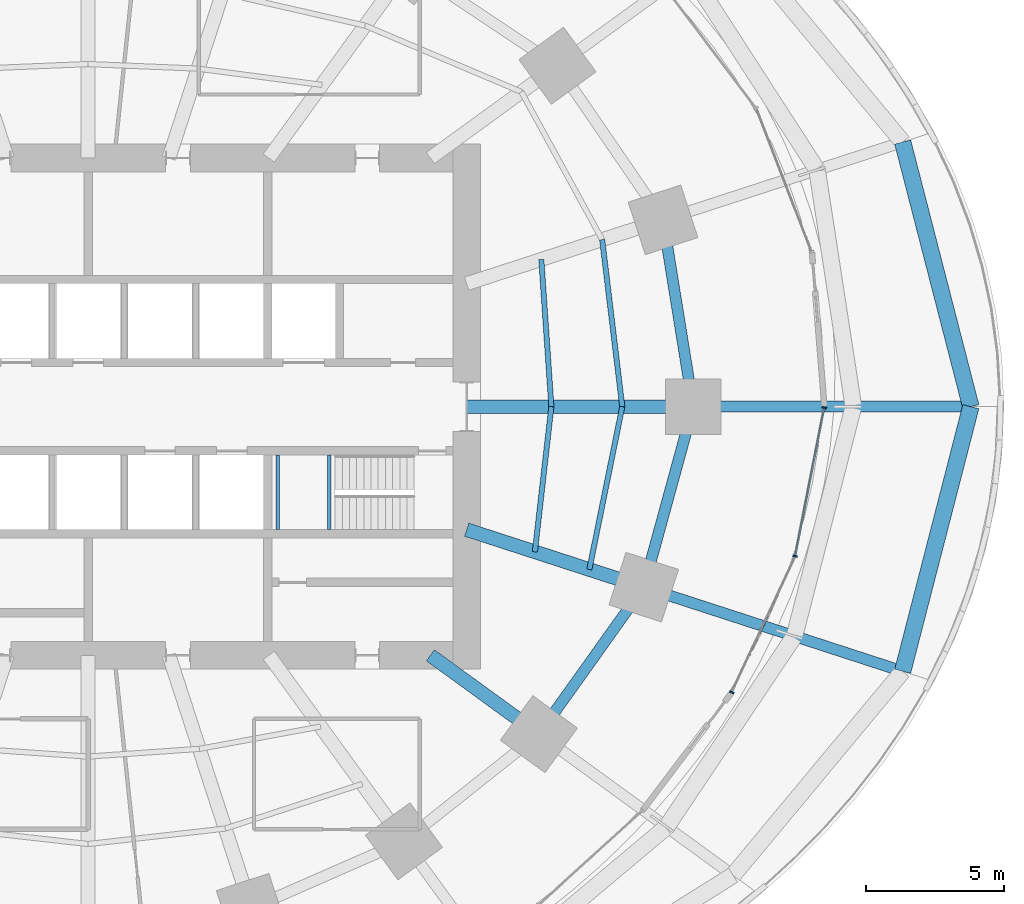
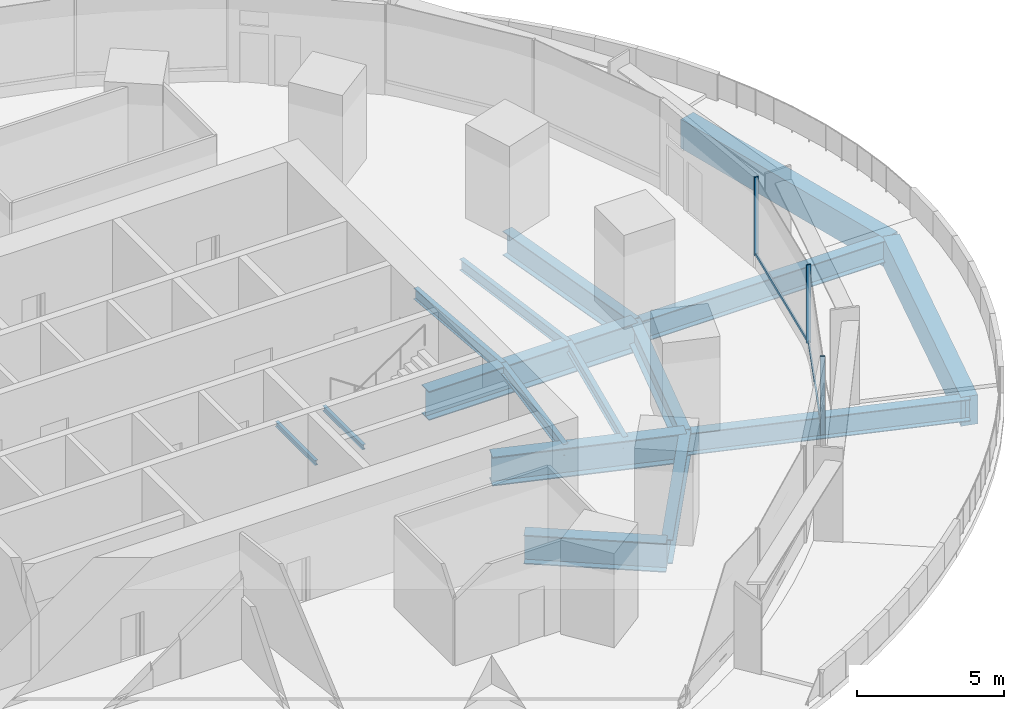
# One storey, part 5 of 20: 16 beams, 5 members, 1 element without a shape of its own.
"""IFC4 building model written with IfcOpenShell, lengths in metres."""

from ifc_helpers import new_model, si_unit, direction, frame, origin, origin_2d, place, context, subcontext, project, spatial, rectangle, i_section, extrude, material, material_profile, profile_set, type_object, element, aggregate, save


model = new_model("IFC4")

# Units and contexts
model_context = context("Model", 3, precision=1e-05, world=origin(), true_north=direction((0.0, 1.0)))
body_context = subcontext(model_context, "Body", "Model", "MODEL_VIEW")
ifc_project = project(units=[si_unit("LENGTHUNIT", "METRE"), si_unit("AREAUNIT", "SQUARE_METRE"), si_unit("VOLUMEUNIT", "CUBIC_METRE"), si_unit("PLANEANGLEUNIT", "RADIAN"), si_unit("MASSUNIT", "GRAM", prefix="KILO")], contexts=[model_context])

# Site, building, storey
site_placement = place(None, origin())
site = spatial("IfcSite", under=ifc_project, at=site_placement, CompositionType="ELEMENT")
building_placement = place(site_placement, origin())
building = spatial("IfcBuilding", under=site, at=building_placement, Name="Marramba Exchange Tower", CompositionType="ELEMENT")
storey_placement = place(building_placement, frame((0.0, 0.0, 19.60009765625)))
storey = spatial("IfcBuildingStorey", under=building, at=storey_placement, Name="L04", CompositionType="ELEMENT", Elevation=19.60009765625)

# Beams
ifc_material_1 = material(Name="Concrete N50", Category="concrete")
ifc_material_profile_1 = material_profile(ifc_material_1, rectangle(XDim=0.60009765625, YDim=1.199951171875, at=origin_2d()), Name="RC 600x1200")
ifc_profile_set_1 = profile_set([ifc_material_profile_1], Name="Concrete N50")
beam_type_1 = type_object("IfcBeamType", Name="Edge beam RC 600x1200 N50", PredefinedType="SPANDREL", material=ifc_profile_set_1)
for number, where, z_axis, x_axis, name in (
    (1, (31.949951171875, 0.0, -0.85009765625), (-0.249492097231, 0.968376834409, 0.0), (-0.968376834409, -0.249492097231, 0.0), "Edge beam L04 P3C01"),
    (2, (29.48193359375, -9.579345703125, -0.85009765625), (0.249492097231, 0.968376834409, 0.0), (-0.968376834409, 0.249492097231, 0.0), "Edge beam L04 P3C20"),
):
    element("IfcBeam", number, at=place(storey_placement, frame(where, z_axis=z_axis, x_axis=x_axis)), inside=storey, type_object=beam_type_1, Name=name, PredefinedType="SPANDREL", context=body_context, shape_type="SweptSolid", body=[
        extrude(rectangle(XDim=0.60009765625, YDim=1.199951171875, at=origin_2d()), origin(), (0.0, 0.0, 1.0), 9.89208984375),
    ])
ifc_material_2 = material(Name="Steel AS/NZS 3679.1 grade 300", Category="steel")
ifc_material_profile_2 = material_profile(ifc_material_2, i_section(OverallWidth=0.18994140625, OverallDepth=0.4541015625, WebThickness=0.008544921875, FlangeThickness=0.0126953125, FilletRadius=0.011474609375, at=origin_2d()), Name="460UB67.1")
ifc_profile_set_2 = profile_set([ifc_material_profile_2], Name="Steel AS/NZS 3679.1 grade 300")
beam_type_2 = type_object("IfcBeamType", Name="Floor joist 460UB67.1", PredefinedType="JOIST", material=ifc_profile_set_2)
beam_1_placement = place(storey_placement, frame((16.7666015625, 0.0, -0.427001953125), z_axis=(-0.068096259546, 0.99767875563, 0.0), x_axis=(-0.99767875563, -0.068096259546, 0.0)))
element("IfcBeam", 3, at=beam_1_placement, inside=storey, type_object=beam_type_2, Name="Joist L04 bay 01 row 1", PredefinedType="JOIST", context=body_context, shape_type="SweptSolid", body=[
    extrude(i_section(OverallWidth=0.18994140625, OverallDepth=0.4541015625, WebThickness=0.008544921875, FlangeThickness=0.0126953125, FilletRadius=0.011474609375, at=origin_2d()), origin(), (0.0, 0.0, 1.0), 5.342041015625),
])
beam_2_placement = place(storey_placement, frame((19.333251953125, 0.0, -0.427001953125), z_axis=(-0.119523078538, 0.992831422597, 0.0), x_axis=(-0.992831422597, -0.119523078538, 0.0)))
element("IfcBeam", 4, at=beam_2_placement, inside=storey, type_object=beam_type_2, Name="Joist L04 bay 01 row 2", PredefinedType="JOIST", context=body_context, shape_type="SweptSolid", body=[
    extrude(i_section(OverallWidth=0.18994140625, OverallDepth=0.4541015625, WebThickness=0.008544921875, FlangeThickness=0.0126953125, FilletRadius=0.011474609375, at=origin_2d()), origin(), (0.0, 0.0, 1.0), 6.089111328125),
])
beam_3_placement = place(storey_placement, frame((16.169677734375, -5.25390625, -0.427001953125), z_axis=(0.112888968594, 0.993607609054, 0.0), x_axis=(-0.993607609054, 0.112888968594, 0.0)))
element("IfcBeam", 5, at=beam_3_placement, inside=storey, type_object=beam_type_2, Name="Joist L04 bay 20 row 1", PredefinedType="JOIST", context=body_context, shape_type="SweptSolid", body=[
    extrude(i_section(OverallWidth=0.18994140625, OverallDepth=0.4541015625, WebThickness=0.008544921875, FlangeThickness=0.0126953125, FilletRadius=0.011474609375, at=origin_2d()), origin(), (0.0, 0.0, 1.0), 5.28759765625),
])
beam_4_placement = place(storey_placement, frame((18.1396484375, -5.893798828125, -0.427001953125), z_axis=(0.198489047047, 0.980103105904, 0.0), x_axis=(-0.980103105904, 0.198489047047, 0.0)))
element("IfcBeam", 6, at=beam_4_placement, inside=storey, type_object=beam_type_2, Name="Joist L04 bay 20 row 2", PredefinedType="JOIST", context=body_context, shape_type="SweptSolid", body=[
    extrude(i_section(OverallWidth=0.18994140625, OverallDepth=0.4541015625, WebThickness=0.008544921875, FlangeThickness=0.0126953125, FilletRadius=0.011474609375, at=origin_2d()), origin(), (0.0, 0.0, 1.0), 6.013427734375),
])
ifc_material_3 = material(Name="Steel AS/NZS 3679.2 grade 300", Category="steel")
ifc_material_profile_3 = material_profile(ifc_material_3, i_section(OverallWidth=0.5, OverallDepth=1.199951171875, WebThickness=0.01611328125, FlangeThickness=0.0400390625, at=origin_2d()), Name="1200WB455")
ifc_profile_set_3 = profile_set([ifc_material_profile_3], Name="Steel AS/NZS 3679.2 grade 300")
beam_type_3 = type_object("IfcBeamType", Name="Radial girder 1200WB455", PredefinedType="BEAM", material=ifc_profile_set_3)
beam_5_placement = place(storey_placement, frame((13.699951171875, 0.0, -0.800048828125), z_axis=(1.0, 0.0, 0.0), x_axis=(0.0, 1.0, 0.0)))
element("IfcBeam", 7, at=beam_5_placement, inside=storey, type_object=beam_type_3, Name="Radial girder L04 TC01", PredefinedType="BEAM", context=body_context, shape_type="SweptSolid", body=[
    extrude(i_section(OverallWidth=0.5, OverallDepth=1.199951171875, WebThickness=0.01611328125, FlangeThickness=0.0400390625, at=origin_2d()), origin(), (0.0, 0.0, 1.0), 8.199951171875),
])
beam_6_placement = place(storey_placement, frame((12.387451171875, -9.0, -0.800048828125), z_axis=(0.809025189606, -0.58777397236, 0.0), x_axis=(0.58777397236, 0.809025189606, 0.0)))
element("IfcBeam", 8, at=beam_6_placement, inside=storey, type_object=beam_type_3, Name="Radial girder L04 TC19", PredefinedType="BEAM", context=body_context, shape_type="SweptSolid", body=[
    extrude(i_section(OverallWidth=0.5, OverallDepth=1.199951171875, WebThickness=0.01611328125, FlangeThickness=0.0400390625, at=origin_2d()), origin(), (0.0, 0.0, 1.0), 4.855224609375),
])
beam_7_placement = place(storey_placement, frame((13.699951171875, -4.451416015625, -0.800048828125), z_axis=(0.951057759669, -0.309013167637, 0.0), x_axis=(0.309013167637, 0.951057759669, 0.0)))
element("IfcBeam", 9, at=beam_7_placement, inside=storey, type_object=beam_type_3, Name="Radial girder L04 TC20", PredefinedType="BEAM", context=body_context, shape_type="SweptSolid", body=[
    extrude(i_section(OverallWidth=0.5, OverallDepth=1.199951171875, WebThickness=0.01611328125, FlangeThickness=0.0400390625, at=origin_2d()), origin(), (0.0, 0.0, 1.0), 6.7392578125),
])
ifc_material_profile_4 = material_profile(ifc_material_3, i_section(OverallWidth=0.39990234375, OverallDepth=0.89990234375, WebThickness=0.01611328125, FlangeThickness=0.031982421875, at=origin_2d()), Name="900WB282")
ifc_profile_set_4 = profile_set([ifc_material_profile_4], Name="Steel AS/NZS 3679.2 grade 300")
beam_type_4 = type_object("IfcBeamType", Name="Radial girder 900WB282", PredefinedType="BEAM", material=ifc_profile_set_4)
beam_8_placement = place(storey_placement, frame((31.949951171875, 0.0, -0.7001953125), z_axis=(-1.0, 0.0, 0.0), x_axis=(0.0, -1.0, 0.0)))
element("IfcBeam", 10, at=beam_8_placement, inside=storey, type_object=beam_type_4, Name="Radial girder L04 P3C01", PredefinedType="BEAM", context=body_context, shape_type="SweptSolid", body=[
    extrude(i_section(OverallWidth=0.39990234375, OverallDepth=0.89990234375, WebThickness=0.01611328125, FlangeThickness=0.031982421875, at=origin_2d()), origin(), (0.0, 0.0, 1.0), 10.050048828125),
])
beam_9_placement = place(storey_placement, frame((29.48193359375, -9.579345703125, -0.7001953125), z_axis=(-0.951054092785, 0.309024453071, 0.0), x_axis=(-0.309024453071, -0.951054092785, 0.0)))
element("IfcBeam", 11, at=beam_9_placement, inside=storey, type_object=beam_type_4, Name="Radial girder L04 P3C20", PredefinedType="BEAM", context=body_context, shape_type="SweptSolid", body=[
    extrude(i_section(OverallWidth=0.39990234375, OverallDepth=0.89990234375, WebThickness=0.01611328125, FlangeThickness=0.031982421875, at=origin_2d()), origin(), (0.0, 0.0, 1.0), 9.85498046875),
])
ifc_material_profile_5 = material_profile(ifc_material_3, i_section(OverallWidth=0.39990234375, OverallDepth=1.0, WebThickness=0.01611328125, FlangeThickness=0.031982421875, at=origin_2d()), Name="1000WB322")
ifc_profile_set_5 = profile_set([ifc_material_profile_5], Name="Steel AS/NZS 3679.2 grade 300")
beam_type_5 = type_object("IfcBeamType", Name="Ring beam 1000WB322", PredefinedType="SPANDREL", material=ifc_profile_set_5)
beam_10_placement = place(storey_placement, frame((21.89990234375, 0.0, -0.7001953125), z_axis=(-0.159384865399, 0.987216523708, 0.0), x_axis=(-0.987216523708, -0.159384865399, 0.0)))
element("IfcBeam", 12, at=beam_10_placement, inside=storey, type_object=beam_type_5, Name="Ring beam L04 TC01-TC02", PredefinedType="SPANDREL", context=body_context, shape_type="SweptSolid", body=[
    extrude(i_section(OverallWidth=0.39990234375, OverallDepth=1.0, WebThickness=0.01611328125, FlangeThickness=0.031982421875, at=origin_2d()), origin(), (0.0, 0.0, 1.0), 6.8486328125),
])
beam_11_placement = place(storey_placement, frame((16.3154296875, -11.853759765625, -0.7001953125), z_axis=(0.580637181111, 0.814162430914, 0.0), x_axis=(-0.814162430914, 0.580637181111, 0.0)))
element("IfcBeam", 13, at=beam_11_placement, inside=storey, type_object=beam_type_5, Name="Ring beam L04 TC19-TC20", PredefinedType="SPANDREL", context=body_context, shape_type="SweptSolid", body=[
    extrude(i_section(OverallWidth=0.39990234375, OverallDepth=1.0, WebThickness=0.01611328125, FlangeThickness=0.031982421875, at=origin_2d()), origin(), (0.0, 0.0, 1.0), 6.5341796875),
])
beam_12_placement = place(storey_placement, frame((20.109375, -6.533935546875, -0.7001953125), z_axis=(0.264291166956, 0.964442937176, 0.0), x_axis=(-0.964442937176, 0.264291166956, 0.0)))
element("IfcBeam", 14, at=beam_12_placement, inside=storey, type_object=beam_type_5, Name="Ring beam L04 TC20-TC01", PredefinedType="SPANDREL", context=body_context, shape_type="SweptSolid", body=[
    extrude(i_section(OverallWidth=0.39990234375, OverallDepth=1.0, WebThickness=0.01611328125, FlangeThickness=0.031982421875, at=origin_2d()), origin(), (0.0, 0.0, 1.0), 6.77490234375),
])
ifc_material_profile_6 = material_profile(ifc_material_2, i_section(OverallWidth=0.133056640625, OverallDepth=0.202880859375, WebThickness=0.005859375, FlangeThickness=0.0078125, FilletRadius=0.0087890625, at=origin_2d()), Name="200UB25.4")
ifc_profile_set_6 = profile_set([ifc_material_profile_6], Name="Steel AS/NZS 3679.1 grade 300")
beam_type_6 = type_object("IfcBeamType", Name="Stair landing beam 200UB25.4", PredefinedType="BEAM", material=ifc_profile_set_6)
for number, where, z_axis, x_axis, name in (
    (15, (6.866455078125, -4.449951171875, 1.79833984375), (0.0, 1.0, 0.0), (-1.0, 0.0, 0.0), "Stair landing beam SLB1 ST2 L04 1"),
    (16, (8.723388671875, -4.449951171875, 1.79833984375), (0.0, 1.0, 0.0), (-1.0, 0.0, 0.0), "Stair landing beam SLB1 ST2 L04 2"),
):
    element("IfcBeam", number, at=place(storey_placement, frame(where, z_axis=z_axis, x_axis=x_axis)), inside=storey, type_object=beam_type_6, Name=name, PredefinedType="BEAM", context=body_context, shape_type="SweptSolid", body=[
        extrude(i_section(OverallWidth=0.133056640625, OverallDepth=0.202880859375, WebThickness=0.005859375, FlangeThickness=0.0078125, FilletRadius=0.0087890625, at=origin_2d()), origin(), (0.0, 0.0, 1.0), 2.699951171875),
    ])

# Curtain wall, members
ifc_material_4 = material(Name="Aluminium framing, bronze anodised", Category="aluminium")
curtain_wall_type = type_object("IfcCurtainWallType", Name="Trading floor ribbon curtain wall", PredefinedType="USERDEFINED", material=ifc_material_4)
curtain_wall_placement = place(storey_placement, origin())
curtain_wall = element("IfcCurtainWall", 17, at=curtain_wall_placement, inside=storey, type_object=curtain_wall_type, Name="Curtain wall CW3 L04 F29-F30", ObjectType="RIBBON CURTAIN WALL", PredefinedType="USERDEFINED")
ifc_material_5 = material(Name="Aluminium mullion, bronze anodised", Category="aluminium")
ifc_material_profile_7 = material_profile(ifc_material_5, rectangle(XDim=0.159912109375, YDim=0.06005859375, at=origin_2d()), Name="CW3 mullion 60x160")
ifc_profile_set_7 = profile_set([ifc_material_profile_7], Name="Aluminium mullion, bronze anodised")
member_type_1 = type_object("IfcMemberType", Name="Trading floor ribbon curtain wall mullion", PredefinedType="MULLION", material=ifc_profile_set_7)
member_1_placement = place(storey_placement, frame((23.2939453125, -10.33837890625, 0.7998046875), z_axis=(0.0, 0.0, 1.0), x_axis=(-0.905906758768, 0.423477206492, 0.0)))
member_1 = element("IfcMember", 18, at=member_1_placement, type_object=member_type_1, Name="CW3 mullion 1", PredefinedType="MULLION", context=body_context, shape_type="SweptSolid", body=[
    extrude(rectangle(XDim=0.159912109375, YDim=0.06005859375, at=origin_2d()), origin(), (0.0, 0.0, 1.0), 3.239990234375),
])
member_2_placement = place(storey_placement, frame((25.59033203125, -5.40869140625, 0.7998046875), z_axis=(0.0, 0.0, 1.0), x_axis=(-0.981346261612, 0.1922485756, 0.0)))
member_2 = element("IfcMember", 19, at=member_2_placement, type_object=member_type_1, Name="CW3 mullion 1", PredefinedType="MULLION", context=body_context, shape_type="SweptSolid", body=[
    extrude(rectangle(XDim=0.159912109375, YDim=0.06005859375, at=origin_2d()), origin(), (0.0, 0.0, 1.0), 3.239990234375),
])
member_3_placement = place(storey_placement, frame((26.644287109375, -0.029541015625, 0.7998046875), z_axis=(0.0, 0.0, 1.0), x_axis=(-0.981346261612, 0.1922485756, 0.0)))
member_3 = element("IfcMember", 20, at=member_3_placement, type_object=member_type_1, Name="CW3 mullion 2", PredefinedType="MULLION", context=body_context, shape_type="SweptSolid", body=[
    extrude(rectangle(XDim=0.159912109375, YDim=0.06005859375, at=origin_2d()), origin(), (0.0, 0.0, 1.0), 3.239990234375),
])
ifc_material_6 = material(Name="Aluminium transom, bronze anodised", Category="aluminium")
ifc_material_profile_8 = material_profile(ifc_material_6, rectangle(XDim=0.06005859375, YDim=0.1201171875, at=origin_2d()), Name="CW3 transom 60x120")
ifc_profile_set_8 = profile_set([ifc_material_profile_8], Name="Aluminium transom, bronze anodised")
member_type_2 = type_object("IfcMemberType", Name="Trading floor ribbon curtain wall transom", PredefinedType="USERDEFINED", material=ifc_profile_set_8)
member_4_placement = place(storey_placement, frame((23.306640625, -10.31103515625, 0.829833984375), z_axis=(0.423511514213, 0.905890720412, 0.0), x_axis=(-0.905890720412, 0.423511514213, 0.0)))
member_4 = element("IfcMember", 21, at=member_4_placement, type_object=member_type_2, Name="CW3 sill transom", ObjectType="TRANSOM", PredefinedType="USERDEFINED", context=body_context, shape_type="SweptSolid", body=[
    extrude(rectangle(XDim=0.06005859375, YDim=0.1201171875, at=origin_2d()), origin(), (0.0, 0.0, 1.0), 5.37890625),
])
member_5_placement = place(storey_placement, frame((25.59619140625, -5.37939453125, 0.829833984375), z_axis=(0.192235052534, 0.981348910723, 0.0), x_axis=(-0.981348910723, 0.192235052534, 0.0)))
member_5 = element("IfcMember", 22, at=member_5_placement, type_object=member_type_2, Name="CW3 sill transom", ObjectType="TRANSOM", PredefinedType="USERDEFINED", context=body_context, shape_type="SweptSolid", body=[
    extrude(rectangle(XDim=0.06005859375, YDim=0.1201171875, at=origin_2d()), origin(), (0.0, 0.0, 1.0), 5.421630859375),
])
aggregate(curtain_wall, [member_1, member_4, member_2, member_3, member_5])

save(model, "model.ifc")
